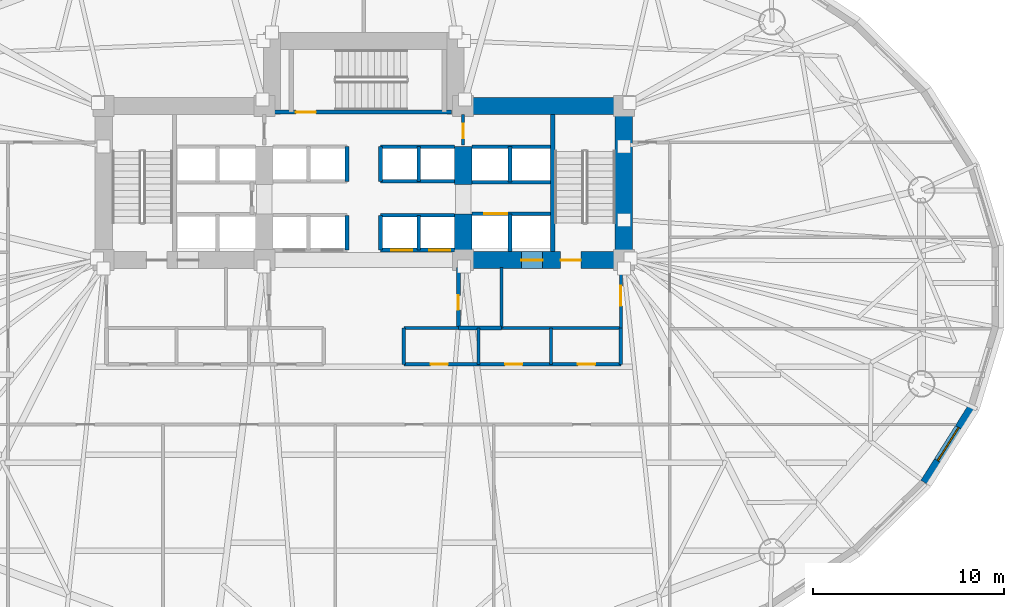
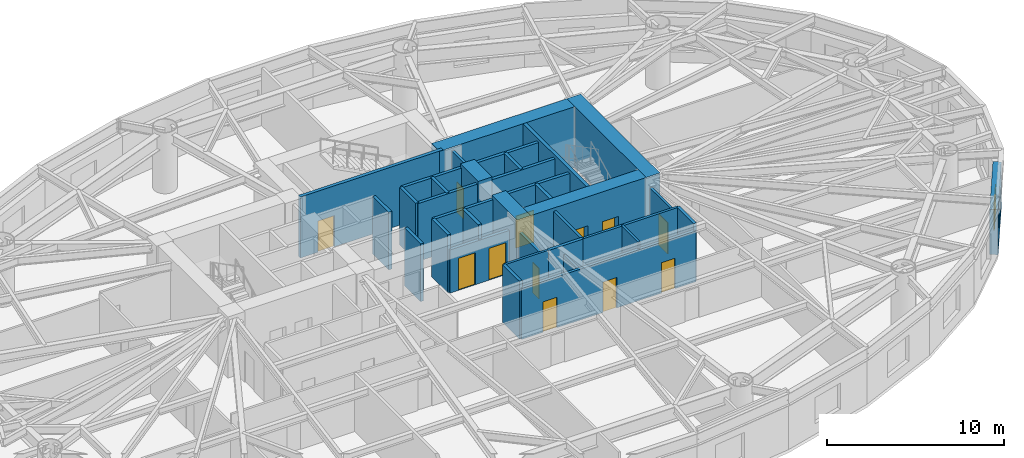
# One storey, part 7 of 14: 35 walls, 12 doors, 1 window, 13 openings.
"""IFC4 building model written with IfcOpenShell, lengths in metres."""

from ifc_helpers import new_model, si_unit, direction, frame, frame_2d, origin, place, context, subcontext, project, spatial, rectangle, extrude, material, layer, layer_set, type_object, element, fill, save


model = new_model("IFC4")

# Units and contexts
model_context = context("Model", 3, precision=1e-05, world=origin(), true_north=direction((0.0, 1.0)))
body_context = subcontext(model_context, "Body", "Model", "MODEL_VIEW")
ifc_project = project(units=[si_unit("LENGTHUNIT", "METRE"), si_unit("AREAUNIT", "SQUARE_METRE"), si_unit("VOLUMEUNIT", "CUBIC_METRE"), si_unit("PLANEANGLEUNIT", "RADIAN"), si_unit("MASSUNIT", "GRAM", prefix="KILO")], contexts=[model_context])

# Site, building, storey
site_placement = place(None, origin())
site = spatial("IfcSite", under=ifc_project, at=site_placement, CompositionType="ELEMENT")
building_placement = place(site_placement, origin())
building = spatial("IfcBuilding", under=site, at=building_placement, Name="Keldmark Tower", CompositionType="ELEMENT")
storey_placement = place(building_placement, frame((0.0, 0.0, 14.39990234375)))
storey = spatial("IfcBuildingStorey", under=building, at=storey_placement, Name="L03", CompositionType="ELEMENT", Elevation=14.39990234375)

# Wall, openings, doors
ifc_material_1 = material(Name="Heavy Acoustic Plumbing Chase Gypsum Assembly", Category="gypsum")
ifc_layer_1 = layer(ifc_material_1, 0.18994140625)
ifc_layer_set_1 = layer_set([ifc_layer_1], Name="Heavy Acoustic Plumbing Chase Gypsum Assembly")
wall_type_1 = type_object("IfcWallType", Name="Heavy Wet Wall 190 mm", PredefinedType="PLUMBINGWALL", material=ifc_layer_set_1)
wall_1_placement = place(storey_placement, frame((2.10009765625, -4.050048828125, 0.0), z_axis=(0.0, 0.0, 1.0), x_axis=(1.0, 0.0, 0.0)))
wall_1 = element("IfcWall", 1, at=wall_1_placement, inside=storey, type_object=wall_type_1, Name="L03 Heavy Wet Wall 190 mm SPK-E-S", PredefinedType="PLUMBINGWALL", context=body_context, shape_type="SweptSolid", body=[
    extrude(rectangle(XDim=11.349853515625, YDim=0.18994140625, at=frame_2d((5.6748046875, 0.0))), origin(), (0.0, 0.0, 1.0), 3.507080078125),
])
opening_1_placement = place(wall_1_placement, frame((1.39990234375, 0.0, 0.0)))
opening_1 = element("IfcOpeningElement", 2, at=opening_1_placement, cuts=wall_1, Name="Opening D-IN090", PredefinedType="OPENING", context=body_context, shape_type="SweptSolid", body=[
    extrude(rectangle(XDim=0.89990234375, YDim=2.10009765625, at=frame_2d((0.449951171875, 1.050048828125))), frame((0.0, 0.10498046875, 0.0), z_axis=(0.0, -1.0, 0.0), x_axis=(1.0, 0.0, 0.0)), (0.0, 0.0, 1.0), 0.2099609375),
])
opening_2_placement = place(wall_1_placement, frame((5.300048828125, 0.0, 0.0)))
opening_2 = element("IfcOpeningElement", 3, at=opening_2_placement, cuts=wall_1, Name="Opening D-IN090", PredefinedType="OPENING", context=body_context, shape_type="SweptSolid", body=[
    extrude(rectangle(XDim=0.89990234375, YDim=2.10009765625, at=frame_2d((0.449951171875, 1.050048828125))), frame((0.0, 0.10498046875, 0.0), z_axis=(0.0, -1.0, 0.0), x_axis=(1.0, 0.0, 0.0)), (0.0, 0.0, 1.0), 0.2099609375),
])
opening_3_placement = place(wall_1_placement, frame((9.10009765625, 0.0, 0.0)))
opening_3 = element("IfcOpeningElement", 4, at=opening_3_placement, cuts=wall_1, Name="Opening D-IN090", PredefinedType="OPENING", context=body_context, shape_type="SweptSolid", body=[
    extrude(rectangle(XDim=0.89990234375, YDim=2.10009765625, at=frame_2d((0.449951171875, 1.050048828125))), frame((0.0, 0.10498046875, 0.0), z_axis=(0.0, -1.0, 0.0), x_axis=(1.0, 0.0, 0.0)), (0.0, 0.0, 1.0), 0.2099609375),
])
ifc_material_2 = material(Name="Stained American White Oak Veneer", Category="wood")
door_type_1 = type_object("IfcDoorType", Name="Interior Door 900x2100", OperationType="NOTDEFINED", PredefinedType="DOOR", material=ifc_material_2)
door_1_placement = place(opening_1_placement, origin())
door_1 = element("IfcDoor", 5, at=door_1_placement, inside=storey, type_object=door_type_1, Name="L03 Interior Door 900x2100 D-SPKE1-L03", OperationType="SINGLE_SWING_RIGHT", OverallHeight=2.10009765625, OverallWidth=0.89990234375, PredefinedType="DOOR", context=body_context, shape_type="SweptSolid", body=[
    extrude(rectangle(XDim=0.89990234375, YDim=2.10009765625, at=frame_2d((0.449951171875, 1.050048828125))), frame((0.0, 0.02490234375, 0.0), z_axis=(0.0, -1.0, 0.0), x_axis=(1.0, 0.0, 0.0)), (0.0, 0.0, 1.0), 0.050048828125),
])
fill(opening_1, door_1)
door_2_placement = place(opening_2_placement, origin())
door_2 = element("IfcDoor", 6, at=door_2_placement, inside=storey, type_object=door_type_1, Name="L03 Interior Door 900x2100 D-SPKE2-L03", OperationType="SINGLE_SWING_LEFT", OverallHeight=2.10009765625, OverallWidth=0.89990234375, PredefinedType="DOOR", context=body_context, shape_type="SweptSolid", body=[
    extrude(rectangle(XDim=0.89990234375, YDim=2.10009765625, at=frame_2d((0.449951171875, 1.050048828125))), frame((0.0, 0.02490234375, 0.0), z_axis=(0.0, -1.0, 0.0), x_axis=(1.0, 0.0, 0.0)), (0.0, 0.0, 1.0), 0.050048828125),
])
fill(opening_2, door_2)
door_3_placement = place(opening_3_placement, origin())
door_3 = element("IfcDoor", 7, at=door_3_placement, inside=storey, type_object=door_type_1, Name="L03 Interior Door 900x2100 D-SPKE3-L03", OperationType="SINGLE_SWING_RIGHT", OverallHeight=2.10009765625, OverallWidth=0.89990234375, PredefinedType="DOOR", context=body_context, shape_type="SweptSolid", body=[
    extrude(rectangle(XDim=0.89990234375, YDim=2.10009765625, at=frame_2d((0.449951171875, 1.050048828125))), frame((0.0, 0.02490234375, 0.0), z_axis=(0.0, -1.0, 0.0), x_axis=(1.0, 0.0, 0.0)), (0.0, 0.0, 1.0), 0.050048828125),
])
fill(opening_3, door_3)

# Walls
for number, where, z_axis, x_axis, name in (
    (8, (2.10009765625, -4.050048828125, 0.0), (0.0, 0.0, 1.0), (0.0, 1.0, 0.0), "L03 Heavy Wet Wall 190 mm SPK-E-W"),
    (9, (13.449951171875, -4.050048828125, 0.0), (0.0, 0.0, 1.0), (0.0, 1.0, 0.0), "L03 Heavy Wet Wall 190 mm SPK-E-E"),
):
    element("IfcWall", number, at=place(storey_placement, frame(where, z_axis=z_axis, x_axis=x_axis)), inside=storey, type_object=wall_type_1, Name=name, PredefinedType="PLUMBINGWALL", context=body_context, shape_type="SweptSolid", body=[
        extrude(rectangle(XDim=1.900146484375, YDim=0.18994140625, at=frame_2d((0.9501953125, 0.0))), origin(), (0.0, 0.0, 1.0), 3.97998046875),
    ])
ifc_material_3 = material(Name="Concrete C70/85", Category="concrete")
ifc_layer_2 = layer(ifc_material_3, 0.89990234375)
ifc_layer_set_2 = layer_set([ifc_layer_2], Name="Concrete C70/85")
wall_type_2 = type_object("IfcWallType", Name="Lower Core Shear Wall 900 mm", PredefinedType="SHEAR", material=ifc_layer_set_2)
wall_2_placement = place(storey_placement, frame((13.60009765625, 0.949951171875, 0.0), z_axis=(0.0, 0.0, 1.0), x_axis=(0.0, 1.0, 0.0)))
element("IfcWall", 10, at=wall_2_placement, inside=storey, type_object=wall_type_2, Name="L03 East Core Outer Shear Wall", PredefinedType="SHEAR", context=body_context, shape_type="SweptSolid", body=[
    extrude(rectangle(XDim=8.949951171875, YDim=0.89990234375, at=frame_2d((4.47509765625, 0.0))), origin(), (0.0, 0.0, 1.0), 4.2001953125),
])
wall_3_placement = place(storey_placement, frame((4.35009765625, 9.449951171875, 0.0), z_axis=(0.0, 0.0, 1.0), x_axis=(1.0, 0.0, 0.0)))
element("IfcWall", 11, at=wall_3_placement, inside=storey, type_object=wall_type_2, Name="L03 East Core North Shear Wall", PredefinedType="SHEAR", context=body_context, shape_type="SweptSolid", body=[
    extrude(rectangle(XDim=9.699951171875, YDim=0.89990234375, at=frame_2d((4.85009765625, 0.0))), origin(), (0.0, 0.0, 1.0), 4.2001953125),
])

# Wall, openings, doors
wall_4_placement = place(storey_placement, frame((14.050048828125, 1.39990234375, 0.0), z_axis=(0.0, 0.0, 1.0), x_axis=(-1.0, 0.0, 0.0)))
wall_4 = element("IfcWall", 12, at=wall_4_placement, inside=storey, type_object=wall_type_2, Name="L03 East Core South Shear Wall", PredefinedType="SHEAR", context=body_context, shape_type="SweptSolid", body=[
    extrude(rectangle(XDim=9.300048828125, YDim=0.89990234375, at=frame_2d((4.64990234375, 0.0))), origin(), (0.0, 0.0, 1.0), 4.2001953125),
])
opening_4_placement = place(wall_4_placement, frame((2.699951171875, 0.0, 0.0)))
opening_4 = element("IfcOpeningElement", 13, at=opening_4_placement, cuts=wall_4, Name="Opening D-ST105", PredefinedType="OPENING", context=body_context, shape_type="SweptSolid", body=[
    extrude(rectangle(XDim=1.050048828125, YDim=2.14990234375, at=frame_2d((0.52490234375, 1.074951171875))), frame((0.0, 0.4599609375, 0.0), z_axis=(0.0, -1.0, 0.0), x_axis=(1.0, 0.0, 0.0)), (0.0, 0.0, 1.0), 0.919921875),
])
opening_5_placement = place(wall_4_placement, frame((4.699951171875, 0.0, 0.0)))
opening_5 = element("IfcOpeningElement", 14, at=opening_5_placement, cuts=wall_4, Name="Opening LD-110", PredefinedType="OPENING", context=body_context, shape_type="SweptSolid", body=[
    extrude(rectangle(XDim=1.10009765625, YDim=2.199951171875, at=frame_2d((0.550048828125, 1.10009765625))), frame((0.0, 0.4599609375, 0.0), z_axis=(0.0, -1.0, 0.0), x_axis=(1.0, 0.0, 0.0)), (0.0, 0.0, 1.0), 0.919921875),
])
ifc_material_4 = material(Name="Brushed Bronze Hoistway Sliding Leaf", Category="metal")
door_type_2 = type_object("IfcDoorType", Name="Lift Landing Sliding Door 1100x2200", OperationType="SLIDING_TO_LEFT", PredefinedType="DOOR", material=ifc_material_4)
door_4_placement = place(opening_5_placement, origin())
door_4 = element("IfcDoor", 15, at=door_4_placement, inside=storey, type_object=door_type_2, Name="L03 Lift Landing Sliding Door 1100x2200 LD-EL-FS2-L03", OperationType="SLIDING_TO_LEFT", OverallHeight=2.199951171875, OverallWidth=1.10009765625, PredefinedType="DOOR", context=body_context, shape_type="SweptSolid", body=[
    extrude(rectangle(XDim=1.10009765625, YDim=2.199951171875, at=frame_2d((0.550048828125, 1.10009765625))), frame((0.0, 0.02490234375, 0.0), z_axis=(0.0, -1.0, 0.0), x_axis=(1.0, 0.0, 0.0)), (0.0, 0.0, 1.0), 0.050048828125),
])
fill(opening_5, door_4)
ifc_material_5 = material(Name="Hollow Metal Fire-Rated Door Assembly", Category="metal")
door_type_3 = type_object("IfcDoorType", Name="Stair Fire Door 1050x2150", OperationType="NOTDEFINED", PredefinedType="DOOR", material=ifc_material_5)
door_5_placement = place(opening_4_placement, origin())
door_5 = element("IfcDoor", 16, at=door_5_placement, inside=storey, type_object=door_type_3, Name="L03 Stair Fire Door 1050x2150 D-ST2-L03", OperationType="SINGLE_SWING_LEFT", OverallHeight=2.14990234375, OverallWidth=1.050048828125, PredefinedType="DOOR", context=body_context, shape_type="SweptSolid", body=[
    extrude(rectangle(XDim=1.050048828125, YDim=2.14990234375, at=frame_2d((0.52490234375, 1.074951171875))), frame((0.0, 0.02490234375, 0.0), z_axis=(0.0, -1.0, 0.0), x_axis=(1.0, 0.0, 0.0)), (0.0, 0.0, 1.0), 0.050048828125),
])
fill(opening_4, door_5)

# Walls
wall_5_placement = place(storey_placement, frame((5.199951171875, 0.949951171875, 0.0), z_axis=(0.0, 0.0, 1.0), x_axis=(0.0, 1.0, 0.0)))
element("IfcWall", 17, at=wall_5_placement, inside=storey, type_object=wall_type_2, Name="L03 East Core Inner Shear Pier South", PredefinedType="SHEAR", context=body_context, shape_type="SweptSolid", body=[
    extrude(rectangle(XDim=2.85009765625, YDim=0.89990234375, at=frame_2d((1.425048828125, 0.0))), origin(), (0.0, 0.0, 1.0), 4.2001953125),
])
wall_6_placement = place(storey_placement, frame((5.199951171875, 5.35009765625, 0.0), z_axis=(0.0, 0.0, 1.0), x_axis=(0.0, 1.0, 0.0)))
element("IfcWall", 18, at=wall_6_placement, inside=storey, type_object=wall_type_2, Name="L03 East Core Inner Shear Pier North", PredefinedType="SHEAR", context=body_context, shape_type="SweptSolid", body=[
    extrude(rectangle(XDim=2.0, YDim=0.89990234375, at=frame_2d((1.0, 0.0))), origin(), (0.0, 0.0, 1.0), 4.2001953125),
])

# Wall, opening, window
ifc_material_6 = material(Name="Ironspot Manganese Brick and Kasota Buff Limestone Cavity Assembly", Category="masonry")
ifc_layer_3 = layer(ifc_material_6, 0.47998046875)
ifc_layer_set_3 = layer_set([ifc_layer_3], Name="Ironspot Manganese Brick and Kasota Buff Limestone Cavity Assembly")
wall_type_3 = type_object("IfcWallType", Name="Podium Brick and Limestone Cavity Wall 480 mm", PredefinedType="STANDARD", material=ifc_layer_set_3)
wall_7_placement = place(storey_placement, frame((31.8544921875, -6.25830078125, 0.0), z_axis=(0.0, 0.0, 1.0), x_axis=(-0.53349762721, -0.845801561693, 0.0)))
wall_7 = element("IfcWall", 19, at=wall_7_placement, inside=storey, type_object=wall_type_3, Name="L03 Exterior Brick and Spandrel Wall 30", PredefinedType="STANDARD", context=body_context, shape_type="SweptSolid", body=[
    extrude(rectangle(XDim=4.710693359375, YDim=0.47998046875, at=frame_2d((2.35546875, 0.0))), origin(), (0.0, 0.0, 1.0), 3.109130859375),
])
opening_6_placement = place(wall_7_placement, frame((1.330322265625, 0.0, 0.719970703125)))
opening_6 = element("IfcOpeningElement", 20, at=opening_6_placement, cuts=wall_7, Name="Opening W-07", PredefinedType="OPENING", context=body_context, shape_type="SweptSolid", body=[
    extrude(rectangle(XDim=2.050048828125, YDim=1.800048828125, at=frame_2d((1.02490234375, 0.89990234375))), frame((0.0, 0.25, 0.0), z_axis=(0.0, -1.0, 0.0), x_axis=(1.0, 0.0, 0.0)), (0.0, 0.0, 1.0), 0.5),
])
ifc_material_7 = material(Name="Thermally Broken Anodized Aluminum and Triple Low-E Argon Glazing", Category="aluminium")
window_type = type_object("IfcWindowType", Name="Podium Mezzanine Punched Window 2050x1800", PartitioningType="DOUBLE_PANEL_VERTICAL", PredefinedType="WINDOW", material=ifc_material_7)
window_placement = place(opening_6_placement, origin())
window = element("IfcWindow", 21, at=window_placement, inside=storey, type_object=window_type, Name="L03 Deep-Set Window 30", OverallHeight=1.800048828125, OverallWidth=2.050048828125, PartitioningType="SINGLE_PANEL", PredefinedType="WINDOW", context=body_context, shape_type="SweptSolid", body=[
    extrude(rectangle(XDim=2.050048828125, YDim=1.800048828125, at=frame_2d((1.02490234375, 0.89990234375))), frame((0.0, -0.010009765625, 0.0), z_axis=(0.0, -1.0, 0.0), x_axis=(1.0, 0.0, 0.0)), (0.0, 0.0, 1.0), 0.06005859375),
])
fill(opening_6, window)

# Walls
ifc_material_8 = material(Name="Type X Fire-Rated Gypsum Partition Assembly", Category="gypsum")
ifc_layer_4 = layer(ifc_material_8, 0.1650390625)
ifc_layer_set_4 = layer_set([ifc_layer_4], Name="Type X Fire-Rated Gypsum Partition Assembly")
wall_type_4 = type_object("IfcWallType", Name="Rated Partition 165 mm", PredefinedType="PARTITIONING", material=ifc_layer_set_4)
wall_8_placement = place(storey_placement, frame((7.199951171875, -2.14990234375, 0.0), z_axis=(0.0, 0.0, 1.0), x_axis=(1.0, 0.0, 0.0)))
element("IfcWall", 22, at=wall_8_placement, inside=storey, type_object=wall_type_4, Name="L03 Rated Partition 165 mm FSAE-E-S", PredefinedType="PARTITIONING", context=body_context, shape_type="SweptSolid", body=[
    extrude(rectangle(XDim=6.25, YDim=0.1650390625, at=frame_2d((3.125, 0.0))), origin(), (0.0, 0.0, 1.0), 3.97998046875),
])
wall_9_placement = place(storey_placement, frame((7.199951171875, -2.14990234375, 0.0), z_axis=(0.0, 0.0, 1.0), x_axis=(0.0, 1.0, 0.0)))
element("IfcWall", 23, at=wall_9_placement, inside=storey, type_object=wall_type_4, Name="L03 Rated Partition 165 mm FSAE-E-W", PredefinedType="PARTITIONING", context=body_context, shape_type="SweptSolid", body=[
    extrude(rectangle(XDim=3.14990234375, YDim=0.1650390625, at=frame_2d((1.574951171875, 0.0))), origin(), (0.0, 0.0, 1.0), 3.97998046875),
])

# Wall, opening, door
wall_10_placement = place(storey_placement, frame((13.449951171875, -2.14990234375, 0.0), z_axis=(0.0, 0.0, 1.0), x_axis=(0.0, 1.0, 0.0)))
wall_10 = element("IfcWall", 24, at=wall_10_placement, inside=storey, type_object=wall_type_4, Name="L03 Rated Partition 165 mm FSAE-E-E", PredefinedType="PARTITIONING", context=body_context, shape_type="SweptSolid", body=[
    extrude(rectangle(XDim=3.14990234375, YDim=0.1650390625, at=frame_2d((1.574951171875, 0.0))), origin(), (0.0, 0.0, 1.0), 3.43310546875),
])
opening_7_placement = place(wall_10_placement, frame((1.14990234375, 0.0, 0.0)))
opening_7 = element("IfcOpeningElement", 25, at=opening_7_placement, cuts=wall_10, Name="Opening D-FL105", PredefinedType="OPENING", context=body_context, shape_type="SweptSolid", body=[
    extrude(rectangle(XDim=1.050048828125, YDim=2.14990234375, at=frame_2d((0.52490234375, 1.074951171875))), frame((0.0, 0.092529296875, 0.0), z_axis=(0.0, -1.0, 0.0), x_axis=(1.0, 0.0, 0.0)), (0.0, 0.0, 1.0), 0.18505859375),
])
ifc_material_9 = material(Name="Fire-Rated Mineral-Core Door and Vision Lite", Category="metal")
door_type_4 = type_object("IfcDoorType", Name="Fire Lobby Door 1050x2150", OperationType="NOTDEFINED", PredefinedType="DOOR", material=ifc_material_9)
door_6_placement = place(opening_7_placement, origin())
door_6 = element("IfcDoor", 26, at=door_6_placement, inside=storey, type_object=door_type_4, Name="L03 Fire Lobby Door 1050x2150 D-FSAEE-OUT-L03", OperationType="SINGLE_SWING_LEFT", OverallHeight=2.14990234375, OverallWidth=1.050048828125, PredefinedType="DOOR", context=body_context, shape_type="SweptSolid", body=[
    extrude(rectangle(XDim=1.050048828125, YDim=2.14990234375, at=frame_2d((0.52490234375, 1.074951171875))), frame((0.0, 0.02490234375, 0.0), z_axis=(0.0, -1.0, 0.0), x_axis=(1.0, 0.0, 0.0)), (0.0, 0.0, 1.0), 0.050048828125),
])
fill(opening_7, door_6)

wall_11_placement = place(storey_placement, frame((5.199951171875, 7.419921875, 0.0), z_axis=(0.0, 0.0, 1.0), x_axis=(0.0, 1.0, 0.0)))
wall_11 = element("IfcWall", 27, at=wall_11_placement, inside=storey, type_object=wall_type_4, Name="L03 Rated Partition 165 mm CS-NE-W", PredefinedType="PARTITIONING", context=body_context, shape_type="SweptSolid", body=[
    extrude(rectangle(XDim=1.580078125, YDim=0.1650390625, at=frame_2d((0.7900390625, 0.0))), origin(), (0.0, 0.0, 1.0), 3.97998046875),
])
opening_8_placement = place(wall_11_placement, frame((0.35009765625, 0.0, 0.0)))
opening_8 = element("IfcOpeningElement", 28, at=opening_8_placement, cuts=wall_11, Name="Opening D-RS075", PredefinedType="OPENING", context=body_context, shape_type="SweptSolid", body=[
    extrude(rectangle(XDim=0.75, YDim=2.10009765625, at=frame_2d((0.375, 1.050048828125))), frame((0.0, 0.092529296875, 0.0), z_axis=(0.0, -1.0, 0.0), x_axis=(1.0, 0.0, 0.0)), (0.0, 0.0, 1.0), 0.18505859375),
])
ifc_material_10 = material(Name="Galvanized Fire-Rated Access Leaf", Category="metal")
door_type_5 = type_object("IfcDoorType", Name="Riser Access Door 750x2100", OperationType="NOTDEFINED", PredefinedType="DOOR", material=ifc_material_10)
door_7_placement = place(opening_8_placement, origin())
door_7 = element("IfcDoor", 29, at=door_7_placement, inside=storey, type_object=door_type_5, Name="L03 Riser Access Door 750x2100 D-CSNE1-L03", OperationType="SINGLE_SWING_LEFT", OverallHeight=2.10009765625, OverallWidth=0.75, PredefinedType="DOOR", context=body_context, shape_type="SweptSolid", body=[
    extrude(rectangle(XDim=0.75, YDim=2.10009765625, at=frame_2d((0.375, 1.050048828125))), frame((0.0, 0.02490234375, 0.0), z_axis=(0.0, -1.0, 0.0), x_axis=(1.0, 0.0, 0.0)), (0.0, 0.0, 1.0), 0.050048828125),
])
fill(opening_8, door_7)

# Wall
ifc_material_11 = material(Name="Fire-Resistant Type X Gypsum Shaftliner Coreboard", Category="gypsum")
ifc_layer_5 = layer(ifc_material_11, 0.199951171875)
ifc_layer_set_5 = layer_set([ifc_layer_5], Name="Fire-Resistant Type X Gypsum Shaftliner Coreboard")
wall_type_5 = type_object("IfcWallType", Name="Shaft Wall 200 mm", PredefinedType="SOLIDWALL", material=ifc_layer_set_5)
wall_12_placement = place(storey_placement, frame((4.949951171875, -2.14990234375, 0.0), z_axis=(0.0, 0.0, 1.0), x_axis=(1.0, 0.0, 0.0)))
element("IfcWall", 30, at=wall_12_placement, inside=storey, type_object=wall_type_5, Name="L03 Shaft Wall 200 mm RIS-SE-S", PredefinedType="SOLIDWALL", context=body_context, shape_type="SweptSolid", body=[
    extrude(rectangle(XDim=2.25, YDim=0.199951171875, at=frame_2d((1.125, 0.0))), origin(), (0.0, 0.0, 1.0), 3.97998046875),
])

# Wall, opening, door
wall_13_placement = place(storey_placement, frame((4.949951171875, -2.14990234375, 0.0), z_axis=(0.0, 0.0, 1.0), x_axis=(0.0, 1.0, 0.0)))
wall_13 = element("IfcWall", 31, at=wall_13_placement, inside=storey, type_object=wall_type_5, Name="L03 Shaft Wall 200 mm RIS-SE-W", PredefinedType="SOLIDWALL", context=body_context, shape_type="SweptSolid", body=[
    extrude(rectangle(XDim=3.14990234375, YDim=0.199951171875, at=frame_2d((1.574951171875, 0.0))), origin(), (0.0, 0.0, 1.0), 3.34814453125),
])
opening_9_placement = place(wall_13_placement, frame((0.949951171875, 0.0, 0.0)))
opening_9 = element("IfcOpeningElement", 32, at=opening_9_placement, cuts=wall_13, Name="Opening D-RS075", PredefinedType="OPENING", context=body_context, shape_type="SweptSolid", body=[
    extrude(rectangle(XDim=0.75, YDim=2.10009765625, at=frame_2d((0.375, 1.050048828125))), frame((0.0, 0.10986328125, 0.0), z_axis=(0.0, -1.0, 0.0), x_axis=(1.0, 0.0, 0.0)), (0.0, 0.0, 1.0), 0.219970703125),
])
door_8_placement = place(opening_9_placement, origin())
door_8 = element("IfcDoor", 33, at=door_8_placement, inside=storey, type_object=door_type_5, Name="L03 Riser Access Door 750x2100 D-RISSE-L03", OperationType="SINGLE_SWING_LEFT", OverallHeight=2.10009765625, OverallWidth=0.75, PredefinedType="DOOR", context=body_context, shape_type="SweptSolid", body=[
    extrude(rectangle(XDim=0.75, YDim=2.10009765625, at=frame_2d((0.375, 1.050048828125))), frame((0.0, 0.02490234375, 0.0), z_axis=(0.0, -1.0, 0.0), x_axis=(1.0, 0.0, 0.0)), (0.0, 0.0, 1.0), 0.050048828125),
])
fill(opening_9, door_8)

wall_14_placement = place(storey_placement, frame((5.64990234375, 3.820068359375, 0.0), z_axis=(0.0, 0.0, 1.0), x_axis=(1.0, 0.0, 0.0)))
wall_14 = element("IfcWall", 34, at=wall_14_placement, inside=storey, type_object=wall_type_5, Name="L03 Shaft Wall 200 mm HW-E-S", PredefinedType="SOLIDWALL", context=body_context, shape_type="SweptSolid", body=[
    extrude(rectangle(XDim=4.130126953125, YDim=0.199951171875, at=frame_2d((2.06494140625, 0.0))), origin(), (0.0, 0.0, 1.0), 3.97998046875),
])
opening_10_placement = place(wall_14_placement, frame((0.64990234375, 0.0, 0.0)))
opening_10 = element("IfcOpeningElement", 35, at=opening_10_placement, cuts=wall_14, Name="Opening LD-120", PredefinedType="OPENING", context=body_context, shape_type="SweptSolid", body=[
    extrude(rectangle(XDim=1.199951171875, YDim=2.199951171875, at=frame_2d((0.60009765625, 1.10009765625))), frame((0.0, 0.10986328125, 0.0), z_axis=(0.0, -1.0, 0.0), x_axis=(1.0, 0.0, 0.0)), (0.0, 0.0, 1.0), 0.219970703125),
])
ifc_material_12 = material(Name="Heavy-Duty Brushed Metal Hoistway Sliding Leaf", Category="metal")
door_type_6 = type_object("IfcDoorType", Name="Service Lift Sliding Door 1200x2200", OperationType="SLIDING_TO_RIGHT", PredefinedType="DOOR", material=ifc_material_12)
door_9_placement = place(opening_10_placement, origin())
door_9 = element("IfcDoor", 36, at=door_9_placement, inside=storey, type_object=door_type_6, Name="L03 Service Lift Sliding Door 1200x2200 LD-EL-SV1-L03", OperationType="SLIDING_TO_RIGHT", OverallHeight=2.199951171875, OverallWidth=1.199951171875, PredefinedType="DOOR", context=body_context, shape_type="SweptSolid", body=[
    extrude(rectangle(XDim=1.199951171875, YDim=2.199951171875, at=frame_2d((0.60009765625, 1.10009765625))), frame((0.0, 0.02490234375, 0.0), z_axis=(0.0, -1.0, 0.0), x_axis=(1.0, 0.0, 0.0)), (0.0, 0.0, 1.0), 0.050048828125),
])
fill(opening_10, door_9)

# Walls
wall_15_placement = place(storey_placement, frame((7.64990234375, 1.85009765625, 0.0), z_axis=(0.0, 0.0, 1.0), x_axis=(0.0, 1.0, 0.0)))
element("IfcWall", 37, at=wall_15_placement, inside=storey, type_object=wall_type_5, Name="L03 Shaft Wall 200 mm HW-E-M", PredefinedType="SOLIDWALL", context=body_context, shape_type="SweptSolid", body=[
    extrude(rectangle(XDim=1.969970703125, YDim=0.199951171875, at=frame_2d((0.98486328125, 0.0))), origin(), (0.0, 0.0, 1.0), 3.97998046875),
])
for number, where, z_axis, x_axis, name in (
    (38, (5.64990234375, 5.469970703125, 0.0), (0.0, 0.0, 1.0), (1.0, 0.0, 0.0), "L03 Shaft Wall 200 mm HW-E-N"),
    (39, (5.64990234375, 7.330078125, 0.0), (0.0, 0.0, 1.0), (1.0, 0.0, 0.0), "L03 Shaft Wall 200 mm HW-E-TOP"),
):
    element("IfcWall", number, at=place(storey_placement, frame(where, z_axis=z_axis, x_axis=x_axis)), inside=storey, type_object=wall_type_5, Name=name, PredefinedType="SOLIDWALL", context=body_context, shape_type="SweptSolid", body=[
        extrude(rectangle(XDim=4.130126953125, YDim=0.199951171875, at=frame_2d((2.06494140625, 0.0))), origin(), (0.0, 0.0, 1.0), 3.97998046875),
    ])
wall_16_placement = place(storey_placement, frame((7.64990234375, 5.469970703125, 0.0), z_axis=(0.0, 0.0, 1.0), x_axis=(0.0, 1.0, 0.0)))
element("IfcWall", 40, at=wall_16_placement, inside=storey, type_object=wall_type_5, Name="L03 Shaft Wall 200 mm HW-E-NM", PredefinedType="SOLIDWALL", context=body_context, shape_type="SweptSolid", body=[
    extrude(rectangle(XDim=1.860107421875, YDim=0.199951171875, at=frame_2d((0.93017578125, 0.0))), origin(), (0.0, 0.0, 1.0), 3.97998046875),
])

# Wall, openings, doors
wall_17_placement = place(storey_placement, frame((0.8798828125, 1.919921875, 0.0), z_axis=(0.0, 0.0, 1.0), x_axis=(1.0, 0.0, 0.0)))
wall_17 = element("IfcWall", 41, at=wall_17_placement, inside=storey, type_object=wall_type_5, Name="L03 Shaft Wall 200 mm LOW-S-E", PredefinedType="SOLIDWALL", context=body_context, shape_type="SweptSolid", body=[
    extrude(rectangle(XDim=3.860107421875, YDim=0.199951171875, at=frame_2d((1.93017578125, 0.0))), origin(), (0.0, 0.0, 1.0), 2.97021484375),
])
opening_11_placement = place(wall_17_placement, frame((0.550048828125, 0.0, 0.0)))
opening_11 = element("IfcOpeningElement", 42, at=opening_11_placement, cuts=wall_17, Name="Opening LD-110", PredefinedType="OPENING", context=body_context, shape_type="SweptSolid", body=[
    extrude(rectangle(XDim=1.10009765625, YDim=2.199951171875, at=frame_2d((0.550048828125, 1.10009765625))), frame((0.0, 0.10986328125, 0.0), z_axis=(0.0, -1.0, 0.0), x_axis=(1.0, 0.0, 0.0)), (0.0, 0.0, 1.0), 0.219970703125),
])
opening_12_placement = place(wall_17_placement, frame((2.550048828125, 0.0, 0.0)))
opening_12 = element("IfcOpeningElement", 43, at=opening_12_placement, cuts=wall_17, Name="Opening LD-110", PredefinedType="OPENING", context=body_context, shape_type="SweptSolid", body=[
    extrude(rectangle(XDim=1.10009765625, YDim=2.199951171875, at=frame_2d((0.550048828125, 1.10009765625))), frame((0.0, 0.10986328125, 0.0), z_axis=(0.0, -1.0, 0.0), x_axis=(1.0, 0.0, 0.0)), (0.0, 0.0, 1.0), 0.219970703125),
])
door_10_placement = place(opening_11_placement, origin())
door_10 = element("IfcDoor", 44, at=door_10_placement, inside=storey, type_object=door_type_2, Name="L03 Lift Landing Sliding Door 1100x2200 LD-EL-L3-L03", OperationType="SLIDING_TO_LEFT", OverallHeight=2.199951171875, OverallWidth=1.10009765625, PredefinedType="DOOR", context=body_context, shape_type="SweptSolid", body=[
    extrude(rectangle(XDim=1.10009765625, YDim=2.199951171875, at=frame_2d((0.550048828125, 1.10009765625))), frame((0.0, 0.02490234375, 0.0), z_axis=(0.0, -1.0, 0.0), x_axis=(1.0, 0.0, 0.0)), (0.0, 0.0, 1.0), 0.050048828125),
])
fill(opening_11, door_10)
door_11_placement = place(opening_12_placement, origin())
door_11 = element("IfcDoor", 45, at=door_11_placement, inside=storey, type_object=door_type_2, Name="L03 Lift Landing Sliding Door 1100x2200 LD-EL-L4-L03", OperationType="SLIDING_TO_LEFT", OverallHeight=2.199951171875, OverallWidth=1.10009765625, PredefinedType="DOOR", context=body_context, shape_type="SweptSolid", body=[
    extrude(rectangle(XDim=1.10009765625, YDim=2.199951171875, at=frame_2d((0.550048828125, 1.10009765625))), frame((0.0, 0.02490234375, 0.0), z_axis=(0.0, -1.0, 0.0), x_axis=(1.0, 0.0, 0.0)), (0.0, 0.0, 1.0), 0.050048828125),
])
fill(opening_12, door_11)

# Walls
wall_18_placement = place(storey_placement, frame((0.8798828125, 3.739990234375, 0.0), z_axis=(0.0, 0.0, 1.0), x_axis=(1.0, 0.0, 0.0)))
element("IfcWall", 46, at=wall_18_placement, inside=storey, type_object=wall_type_5, Name="L03 Shaft Wall 200 mm LOW-N-E", PredefinedType="SOLIDWALL", context=body_context, shape_type="SweptSolid", body=[
    extrude(rectangle(XDim=3.860107421875, YDim=0.199951171875, at=frame_2d((1.93017578125, 0.0))), origin(), (0.0, 0.0, 1.0), 3.97998046875),
])
for number, where, z_axis, x_axis, name in (
    (47, (2.8798828125, 1.919921875, 0.0), (0.0, 0.0, 1.0), (0.0, 1.0, 0.0), "L03 Shaft Wall 200 mm LOW-M-E"),
    (48, (-0.8798828125, 1.919921875, 0.0), (0.0, 0.0, 1.0), (0.0, 1.0, 0.0), "L03 Shaft Wall 200 mm LOW-C-W"),
    (49, (0.8798828125, 1.919921875, 0.0), (0.0, 0.0, 1.0), (0.0, 1.0, 0.0), "L03 Shaft Wall 200 mm LOW-C-E"),
):
    element("IfcWall", number, at=place(storey_placement, frame(where, z_axis=z_axis, x_axis=x_axis)), inside=storey, type_object=wall_type_5, Name=name, PredefinedType="SOLIDWALL", context=body_context, shape_type="SweptSolid", body=[
        extrude(rectangle(XDim=1.820068359375, YDim=0.199951171875, at=frame_2d((0.91015625, 0.0))), origin(), (0.0, 0.0, 1.0), 3.97998046875),
    ])
for number, where, z_axis, x_axis, name in (
    (50, (0.8798828125, 5.52001953125, 0.0), (0.0, 0.0, 1.0), (1.0, 0.0, 0.0), "L03 Shaft Wall 200 mm MID-S-E"),
    (51, (0.8798828125, 7.330078125, 0.0), (0.0, 0.0, 1.0), (1.0, 0.0, 0.0), "L03 Shaft Wall 200 mm MID-N-E"),
):
    element("IfcWall", number, at=place(storey_placement, frame(where, z_axis=z_axis, x_axis=x_axis)), inside=storey, type_object=wall_type_5, Name=name, PredefinedType="SOLIDWALL", context=body_context, shape_type="SweptSolid", body=[
        extrude(rectangle(XDim=3.860107421875, YDim=0.199951171875, at=frame_2d((1.93017578125, 0.0))), origin(), (0.0, 0.0, 1.0), 3.97998046875),
    ])
for number, where, z_axis, x_axis, name in (
    (52, (2.8798828125, 5.52001953125, 0.0), (0.0, 0.0, 1.0), (0.0, 1.0, 0.0), "L03 Shaft Wall 200 mm MID-M-E"),
    (53, (-0.8798828125, 5.52001953125, 0.0), (0.0, 0.0, 1.0), (0.0, 1.0, 0.0), "L03 Shaft Wall 200 mm MID-C-W"),
    (54, (0.8798828125, 5.52001953125, 0.0), (0.0, 0.0, 1.0), (0.0, 1.0, 0.0), "L03 Shaft Wall 200 mm MID-C-E"),
):
    element("IfcWall", number, at=place(storey_placement, frame(where, z_axis=z_axis, x_axis=x_axis)), inside=storey, type_object=wall_type_5, Name=name, PredefinedType="SOLIDWALL", context=body_context, shape_type="SweptSolid", body=[
        extrude(rectangle(XDim=1.81005859375, YDim=0.199951171875, at=frame_2d((0.905029296875, 0.0))), origin(), (0.0, 0.0, 1.0), 3.97998046875),
    ])
ifc_material_13 = material(Name="Concrete C50/60", Category="concrete")
ifc_layer_6 = layer(ifc_material_13, 0.219970703125)
ifc_layer_set_6 = layer_set([ifc_layer_6], Name="Concrete C50/60")
wall_type_6 = type_object("IfcWallType", Name="Stair Core Shear Wall 220 mm", PredefinedType="SHEAR", material=ifc_layer_set_6)
wall_19_placement = place(storey_placement, frame((9.889892578125, 1.85009765625, 0.0), z_axis=(0.0, 0.0, 1.0), x_axis=(0.0, 1.0, 0.0)))
element("IfcWall", 55, at=wall_19_placement, inside=storey, type_object=wall_type_6, Name="L03 East Stair Core Shear Wall", PredefinedType="SHEAR", context=body_context, shape_type="SweptSolid", body=[
    extrude(rectangle(XDim=7.14990234375, YDim=0.219970703125, at=frame_2d((3.574951171875, 0.0))), origin(), (0.0, 0.0, 1.0), 4.2001953125),
])

# Wall, opening, door
wall_20_placement = place(storey_placement, frame((-4.699951171875, 9.139892578125, 0.0), z_axis=(0.0, 0.0, 1.0), x_axis=(1.0, 0.0, 0.0)))
wall_20 = element("IfcWall", 56, at=wall_20_placement, inside=storey, type_object=wall_type_6, Name="L03 Central Stair Core South Shear Wall", PredefinedType="SHEAR", context=body_context, shape_type="SweptSolid", body=[
    extrude(rectangle(XDim=9.300048828125, YDim=0.219970703125, at=frame_2d((4.64990234375, 0.0))), origin(), (0.0, 0.0, 1.0), 4.2001953125),
])
opening_13_placement = place(wall_20_placement, frame((1.14990234375, 0.0, 0.0)))
opening_13 = element("IfcOpeningElement", 57, at=opening_13_placement, cuts=wall_20, Name="Opening D-ST105", PredefinedType="OPENING", context=body_context, shape_type="SweptSolid", body=[
    extrude(rectangle(XDim=1.050048828125, YDim=2.14990234375, at=frame_2d((0.52490234375, 1.074951171875))), frame((0.0, 0.119873046875, 0.0), z_axis=(0.0, -1.0, 0.0), x_axis=(1.0, 0.0, 0.0)), (0.0, 0.0, 1.0), 0.239990234375),
])
door_12_placement = place(opening_13_placement, origin())
door_12 = element("IfcDoor", 58, at=door_12_placement, inside=storey, type_object=door_type_3, Name="L03 Stair Fire Door 1050x2150 D-ST3-L03", OperationType="SINGLE_SWING_RIGHT", OverallHeight=2.14990234375, OverallWidth=1.050048828125, PredefinedType="DOOR", context=body_context, shape_type="SweptSolid", body=[
    extrude(rectangle(XDim=1.050048828125, YDim=2.14990234375, at=frame_2d((0.52490234375, 1.074951171875))), frame((0.0, 0.02490234375, 0.0), z_axis=(0.0, -1.0, 0.0), x_axis=(1.0, 0.0, 0.0)), (0.0, 0.0, 1.0), 0.050048828125),
])
fill(opening_13, door_12)

# Walls
ifc_material_14 = material(Name="Moisture-Resistant Gypsum Plumbing Partition", Category="gypsum")
ifc_layer_7 = layer(ifc_material_14, 0.14990234375)
ifc_layer_set_7 = layer_set([ifc_layer_7], Name="Moisture-Resistant Gypsum Plumbing Partition")
wall_type_7 = type_object("IfcWallType", Name="Wet Wall 150 mm", PredefinedType="PLUMBINGWALL", material=ifc_layer_set_7)
wall_21_placement = place(storey_placement, frame((2.10009765625, -2.14990234375, 0.0), z_axis=(0.0, 0.0, 1.0), x_axis=(1.0, 0.0, 0.0)))
element("IfcWall", 59, at=wall_21_placement, inside=storey, type_object=wall_type_7, Name="L03 Wet Wall 150 mm SPK-E-N", PredefinedType="PLUMBINGWALL", context=body_context, shape_type="SweptSolid", body=[
    extrude(rectangle(XDim=2.849853515625, YDim=0.14990234375, at=frame_2d((1.4248046875, 0.0))), origin(), (0.0, 0.0, 1.0), 3.97998046875),
])
wall_22_placement = place(storey_placement, frame((6.0, -4.050048828125, 0.0), z_axis=(0.0, 0.0, 1.0), x_axis=(0.0, 1.0, 0.0)))
element("IfcWall", 60, at=wall_22_placement, inside=storey, type_object=wall_type_7, Name="L03 Wet Wall 150 mm SPK-E-D1", PredefinedType="PLUMBINGWALL", context=body_context, shape_type="SweptSolid", body=[
    extrude(rectangle(XDim=1.900146484375, YDim=0.14990234375, at=frame_2d((0.9501953125, 0.0))), origin(), (0.0, 0.0, 1.0), 3.34814453125),
])
wall_23_placement = place(storey_placement, frame((9.800048828125, -4.050048828125, 0.0), z_axis=(0.0, 0.0, 1.0), x_axis=(0.0, 1.0, 0.0)))
element("IfcWall", 61, at=wall_23_placement, inside=storey, type_object=wall_type_7, Name="L03 Wet Wall 150 mm SPK-E-D2", PredefinedType="PLUMBINGWALL", context=body_context, shape_type="SweptSolid", body=[
    extrude(rectangle(XDim=1.900146484375, YDim=0.14990234375, at=frame_2d((0.9501953125, 0.0))), origin(), (0.0, 0.0, 1.0), 3.97998046875),
])

save(model, "model.ifc")
